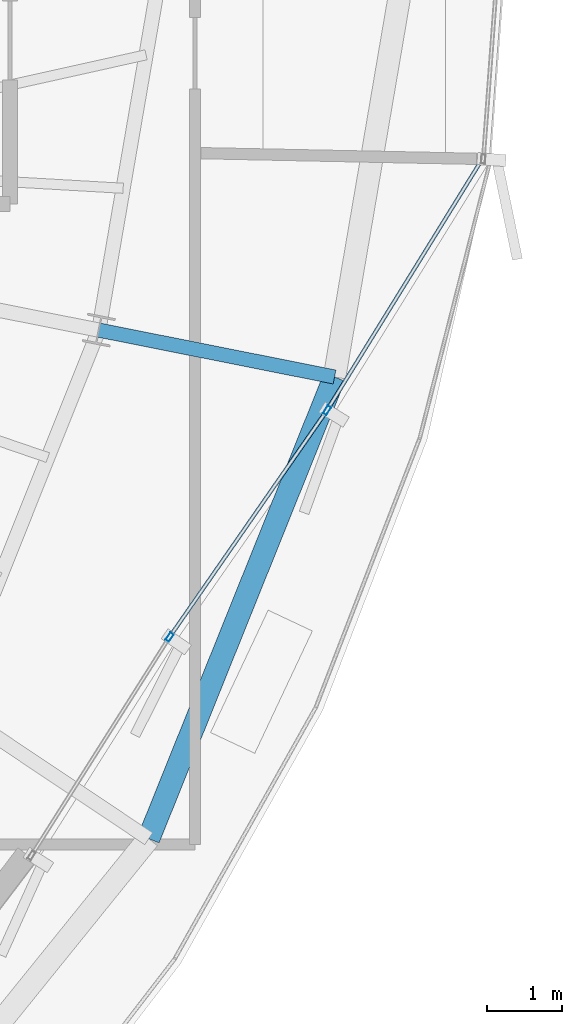
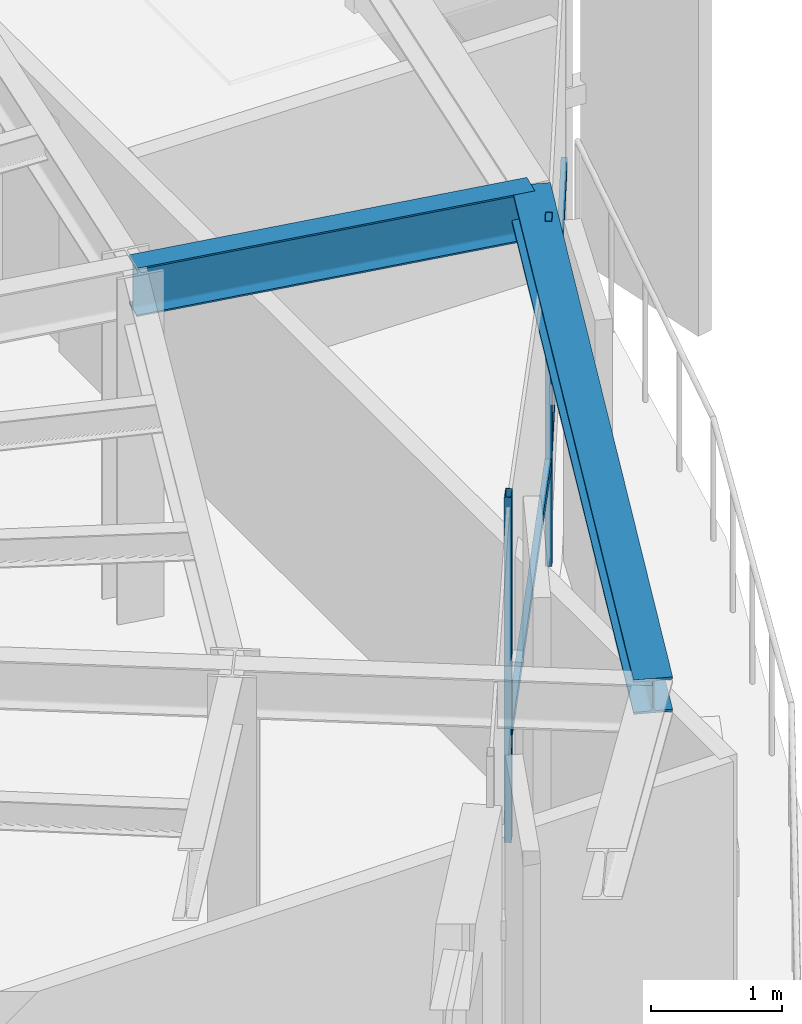
# One storey, part 14 of 30: 4 members, 2 beams, 1 element without a shape of its own.
"""IFC4 building model written with IfcOpenShell, lengths in metres."""

from ifc_helpers import new_model, si_unit, direction, frame, origin, origin_2d, place, context, subcontext, project, spatial, hollow_rectangle, i_section, extrude, source, transform, mapped, material, layer, layer_set, material_profile, profile_set, type_object, element, aggregate, save


model = new_model("IFC4")

# Units and contexts
model_context = context("Model", 3, precision=1e-05, world=origin(), true_north=direction((0.0, 1.0)))
body_context = subcontext(model_context, "Body", "Model", "MODEL_VIEW")
ifc_project = project(units=[si_unit("LENGTHUNIT", "METRE"), si_unit("AREAUNIT", "SQUARE_METRE"), si_unit("VOLUMEUNIT", "CUBIC_METRE"), si_unit("PLANEANGLEUNIT", "RADIAN"), si_unit("MASSUNIT", "GRAM", prefix="KILO"), si_unit("THERMODYNAMICTEMPERATUREUNIT", "KELVIN")], contexts=[model_context])

# Site, building, storey
site_placement = place(None, origin())
site = spatial("IfcSite", under=ifc_project, at=site_placement, CompositionType="ELEMENT")
building_placement = place(site_placement, origin())
building = spatial("IfcBuilding", under=site, at=building_placement, Name="Kethvar Cultural Tower", CompositionType="ELEMENT")
storey_placement = place(building_placement, frame((0.0, 0.0, 293.949951171875)))
storey = spatial("IfcBuildingStorey", under=building, at=storey_placement, Name="L78", CompositionType="ELEMENT", Elevation=293.949951171875)

# Beams
ifc_material_1 = material(Name="Steel S355J2", Category="steel")
ifc_material_profile_1 = material_profile(ifc_material_1, i_section(OverallWidth=0.18994140625, OverallDepth=0.449951171875, WebThickness=0.009521484375, FlangeThickness=0.0146484375, FilletRadius=0.02099609375, at=origin_2d()), Name="Steel S355J2 — IPE450")
ifc_profile_set_1 = profile_set([ifc_material_profile_1], Name="Steel S355J2 — IPE450")
beam_type_1 = type_object("IfcBeamType", Name="BM-IPE450", PredefinedType="BEAM", material=ifc_profile_set_1)
shared_shape_1 = source(origin(), body_context, "Body", "SweptSolid", [
    extrude(i_section(OverallWidth=0.18994140625, OverallDepth=0.449951171875, WebThickness=0.009521484375, FlangeThickness=0.0146484375, FilletRadius=0.02099609375, at=origin_2d()), origin(), (0.0, 0.0, 1.0), 3.199951171875),
])
beam_1_placement = place(storey_placement, frame((60.28369140625, 25.117919921875, 2.983154296875), z_axis=(0.980785550224, -0.195088965533, 0.0), x_axis=(0.195088965533, 0.980785550224, 0.0)))
element("IfcBeam", 1, at=beam_1_placement, inside=storey, type_object=beam_type_1, Name="L78 Perimeter Cantilever Beam RC-16", PredefinedType="BEAM", context=body_context, shape_type="MappedRepresentation", body=[
    mapped(shared_shape_1, transform((0.0, 0.0, 0.0), scale=1.0)),
])
ifc_material_profile_2 = material_profile(ifc_material_1, i_section(OverallWidth=0.300048828125, OverallDepth=0.320068359375, WebThickness=0.011474609375, FlangeThickness=0.0205078125, FilletRadius=0.027099609375, at=origin_2d()), Name="Steel S355J2 — HEB320")
ifc_profile_set_2 = profile_set([ifc_material_profile_2], Name="Steel S355J2 — HEB320")
beam_type_2 = type_object("IfcBeamType", Name="BM-SP320", PredefinedType="SPANDREL", material=ifc_profile_set_2)
shared_shape_2 = source(origin(), body_context, "Body", "SweptSolid", [
    extrude(i_section(OverallWidth=0.300048828125, OverallDepth=0.320068359375, WebThickness=0.011474609375, FlangeThickness=0.0205078125, FilletRadius=0.027099609375, at=origin_2d()), origin(), (0.0, 0.0, 1.0), 6.626220703125),
])
beam_2_placement = place(storey_placement, frame((60.94775390625, 18.3466796875, 3.048095703125), z_axis=(0.373416224197, 0.927663906545, 0.0), x_axis=(-0.927663906545, 0.373416224197, 0.0)))
element("IfcBeam", 2, at=beam_2_placement, inside=storey, type_object=beam_type_2, Name="L78 Perimeter Spandrel Beam SP-15", PredefinedType="SPANDREL", context=body_context, shape_type="MappedRepresentation", body=[
    mapped(shared_shape_2, transform((0.0, 0.0, 0.0), scale=1.0)),
])

# Curtain wall, members
ifc_material_2 = material(Name="Aluminium 6063-T6", Category="aluminium")
ifc_layer = layer(ifc_material_2, 0.179931640625, Name="Aluminium 6063-T6", Category="aluminium")
ifc_layer_set = layer_set([ifc_layer], Name="Aluminium 6063-T6 (180 mm)")
curtain_wall_type = type_object("IfcCurtainWallType", Name="CW-SYS-05-Z56", PredefinedType="NOTDEFINED", material=ifc_layer_set)
curtain_wall_placement = place(storey_placement, origin())
curtain_wall = element("IfcCurtainWall", 3, at=curtain_wall_placement, inside=storey, type_object=curtain_wall_type, Name="L78 Curtain Wall Run 06", PredefinedType="NOTDEFINED")
ifc_material_profile_3 = material_profile(ifc_material_2, hollow_rectangle(XDim=0.054931640625, YDim=0.1201171875, WallThickness=0.00390625, at=origin_2d()), Name="Aluminium 6063-T6 — RHS120x55x4")
ifc_profile_set_3 = profile_set([ifc_material_profile_3], Name="Aluminium 6063-T6 — RHS120x55x4")
member_type_1 = type_object("IfcMemberType", Name="CW-SYS-05-Z56-MUL", PredefinedType="MULLION", material=ifc_profile_set_3)
shared_shape_3 = source(origin(), body_context, "Body", "SweptSolid", [
    extrude(hollow_rectangle(XDim=0.054931640625, YDim=0.1201171875, WallThickness=0.00390625, at=origin_2d()), origin(), (0.0, 0.0, 1.0), 3.2099609375),
])
member_1_placement = place(storey_placement, frame((61.2255859375, 21.0302734375, 0.0), z_axis=(0.0, 0.0, 1.0), x_axis=(-0.821328463564, 0.570455567893, 0.0)))
member_1 = element("IfcMember", 4, at=member_1_placement, type_object=member_type_1, Name="CW-L78-R06 Mullion 2", PredefinedType="MULLION", context=body_context, shape_type="MappedRepresentation", body=[
    mapped(shared_shape_3, transform((0.0, 0.0, 0.0), scale=1.0)),
])
member_2_placement = place(storey_placement, frame((63.322509765625, 24.04931640625, 0.0), z_axis=(0.0, 0.0, 1.0), x_axis=(-0.850728558034, 0.525605289686, 0.0)))
member_2 = element("IfcMember", 5, at=member_2_placement, type_object=member_type_1, Name="CW-L78-R06 Mullion 3", PredefinedType="MULLION", context=body_context, shape_type="MappedRepresentation", body=[
    mapped(shared_shape_3, transform((0.0, 0.0, 0.0), scale=1.0)),
])
ifc_material_profile_4 = material_profile(ifc_material_2, hollow_rectangle(XDim=0.050048828125, YDim=0.10009765625, WallThickness=0.00390625, at=origin_2d()), Name="Aluminium 6063-T6 — RHS100x50x4")
ifc_profile_set_4 = profile_set([ifc_material_profile_4], Name="Aluminium 6063-T6 — RHS100x50x4")
member_type_2 = type_object("IfcMemberType", Name="CW-SYS-05-Z56-TRN", PredefinedType="USERDEFINED", material=ifc_profile_set_4)
shared_shape_4 = source(origin(), body_context, "Body", "SweptSolid", [
    extrude(hollow_rectangle(XDim=0.050048828125, YDim=0.10009765625, WallThickness=0.00390625, at=origin_2d()), origin(), (0.0, 0.0, 1.0), 3.907958984375),
])
member_3_placement = place(storey_placement, frame((63.34326171875, 24.0830078125, 0.949951171875), z_axis=(0.525577999787, 0.850745417936, 0.0), x_axis=(-0.850745417936, 0.525577999787, 0.0)))
member_3 = element("IfcMember", 6, at=member_3_placement, type_object=member_type_2, Name="CW-L78-R06 Transom 3", ObjectType="TRANSOM", PredefinedType="USERDEFINED", context=body_context, shape_type="MappedRepresentation", body=[
    mapped(shared_shape_4, transform((0.0, 0.0, 0.0), scale=1.0)),
])
shared_shape_5 = source(origin(), body_context, "Body", "SweptSolid", [
    extrude(hollow_rectangle(XDim=0.050048828125, YDim=0.10009765625, WallThickness=0.00390625, at=origin_2d()), origin(), (0.0, 0.0, 1.0), 3.601806640625),
])
member_4_placement = place(storey_placement, frame((61.248046875, 21.06298828125, 0.949951171875), z_axis=(0.570460591344, 0.821324974491, 0.0), x_axis=(-0.821324974491, 0.570460591344, 0.0)))
member_4 = element("IfcMember", 7, at=member_4_placement, type_object=member_type_2, Name="CW-L78-R06 Transom 2", ObjectType="TRANSOM", PredefinedType="USERDEFINED", context=body_context, shape_type="MappedRepresentation", body=[
    mapped(shared_shape_5, transform((0.0, 0.0, 0.0), scale=1.0)),
])
aggregate(curtain_wall, [member_1, member_2, member_4, member_3])

save(model, "model.ifc")
